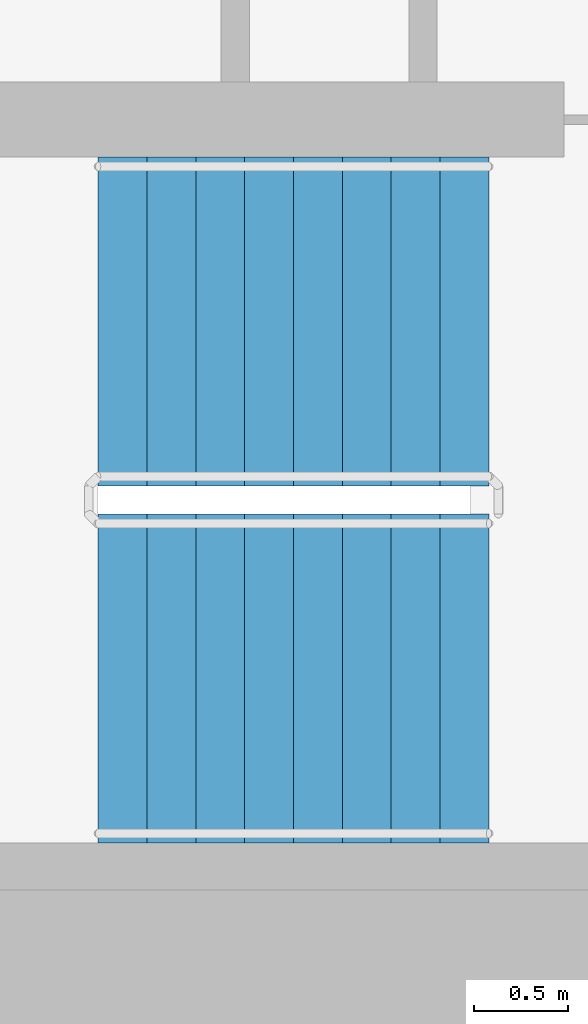
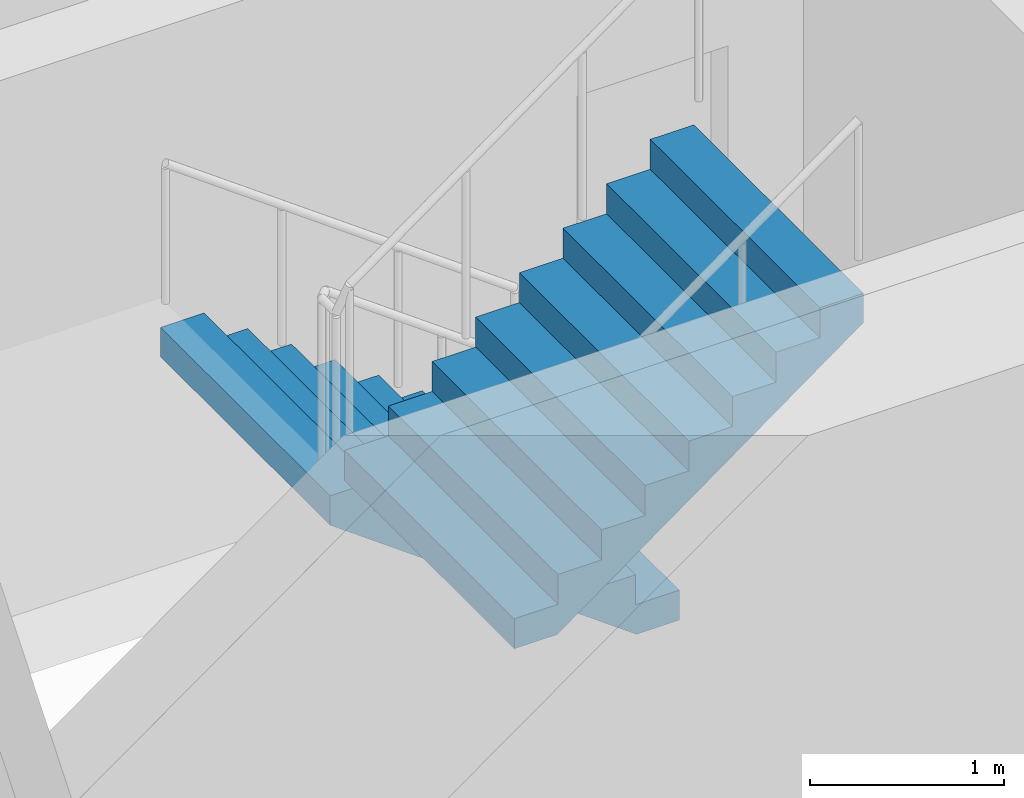
# One storey, part 16 of 22: 2 stair flights, 1 element without a shape of its own.
"""IFC4 building model written with IfcOpenShell, lengths in metres."""

import ifcopenshell
import ifcopenshell.guid

model = None  # the IFC model being written
_history = None  # IfcOwnerHistory: only IFC2X3 demands one
_inside = {}  # id of a spatial element -> (the spatial element, [elements in it])
_under = {}  # id of a project, library or spatial element -> (it, [spatial elements below it])
_declared = {}  # id of a project -> (the project, [libraries it declares])
_typed = {}  # id of a type object -> (the type object, [elements of that type])
_made_of = {}  # id of a material, layer set ... -> (it, [elements and type objects made of it])


def new_model(schema):
    """Start an empty IFC model of exactly this schema.

    Asked for "IFC4X3", IfcOpenShell would pick the latest addendum, in which some entities
    have other attributes; the version numbers below select the first issue.
    IFC2X3 requires an IfcOwnerHistory on every rooted entity: one is made here for all.
    """
    global model, _history
    if schema == "IFC4X3":
        model = ifcopenshell.file(schema_version=(4, 3, 0, 0))
    else:
        model = ifcopenshell.file(schema=schema)
    _inside.clear()
    _under.clear()
    _declared.clear()
    _typed.clear()
    _made_of.clear()
    _history = None
    if model.schema == "IFC2X3":
        org = make("IfcOrganization", Name="unknown")
        user = make(
            "IfcPersonAndOrganization",
            ThePerson=make("IfcPerson", FamilyName="unknown"),
            TheOrganization=org,
        )
        app = make(
            "IfcApplication",
            ApplicationDeveloper=org,
            Version="unknown",
            ApplicationFullName="unknown",
            ApplicationIdentifier="unknown",
        )
        _history = make(
            "IfcOwnerHistory",
            OwningUser=user,
            OwningApplication=app,
            ChangeAction="ADDED",
            CreationDate=0,
        )
    return model


def make(cls, **values):
    """One entity of the class cls with the attributes given. An attribute that is None is left unset."""
    return model.create_entity(
        cls, **{name: value for name, value in values.items() if value is not None}
    )


def rooted(cls, **values):
    """An entity with a GlobalId (a new one), such as an element, a storey or a relation."""
    return make(cls, GlobalId=ifcopenshell.guid.new(), OwnerHistory=_history, **values)


def si_unit(unit_type, name, prefix=None):
    """IfcSIUnit, for example si_unit("LENGTHUNIT", "METRE", prefix="MILLI")."""
    return make("IfcSIUnit", UnitType=unit_type, Prefix=prefix, Name=name)


def assignment(units):
    """IfcUnitAssignment: the units of a project."""
    return None if units is None else make("IfcUnitAssignment", Units=units)


def point(xyz):
    """IfcCartesianPoint."""
    return None if xyz is None else make("IfcCartesianPoint", Coordinates=xyz)


def direction(xyz):
    """IfcDirection."""
    return None if xyz is None else make("IfcDirection", DirectionRatios=xyz)


def frame(location, z_axis=None, x_axis=None):
    """IfcAxis2Placement3D, a coordinate frame: its origin and axes. An axis left out is left unset."""
    return make(
        "IfcAxis2Placement3D",
        Location=point(location),
        Axis=direction(z_axis),
        RefDirection=direction(x_axis),
    )


def origin():
    """The frame at (0, 0, 0) with its axes left unset."""
    return frame((0.0, 0.0, 0.0))


def place(relative_to, where):
    """IfcLocalPlacement: puts the frame where relative to a parent placement (None: the world)."""
    return make(
        "IfcLocalPlacement", PlacementRelTo=relative_to, RelativePlacement=where
    )


def context(
    kind, dimensions, precision=None, world=None, true_north=None, identifier=None
):
    """IfcGeometricRepresentationContext, for example the 3D "Model" context."""
    return make(
        "IfcGeometricRepresentationContext",
        ContextIdentifier=identifier,
        ContextType=kind,
        CoordinateSpaceDimension=dimensions,
        Precision=precision,
        WorldCoordinateSystem=world,
        TrueNorth=true_north,
    )


def subcontext(parent, identifier, kind, view, scale=None):
    """IfcGeometricRepresentationSubContext, for example "Body" below "Model"."""
    return make(
        "IfcGeometricRepresentationSubContext",
        ContextIdentifier=identifier,
        ContextType=kind,
        ParentContext=parent,
        TargetScale=scale,
        TargetView=view,
    )


def project(units=None, contexts=None):
    """IfcProject with its units and contexts."""
    return rooted(
        "IfcProject",
        Name="project",
        RepresentationContexts=contexts,
        UnitsInContext=assignment(units),
    )


def spatial(cls, under=None, at=None, **own):
    """A site, building, storey or space (cls), placed at a placement, below another one or the project."""
    s = rooted(cls, ObjectPlacement=at, **own)
    if under is not None:
        _under.setdefault(under.id(), (under, []))[1].append(s)
    return s


def faces_of(points, faces, orient=None, outer=None):
    """IfcFace entities. A face is a list of loops; a loop is a list of indices into points, from 0.

    orient and outer hold one flag for each loop. By default every Orientation is true, the
    first loop of a face is its IfcFaceOuterBound and the others are IfcFaceBound.
    """
    made = []
    for i, loops in enumerate(faces):
        bounds = []
        for j, loop in enumerate(loops):
            is_outer = j == 0 if outer is None else outer[i][j]
            bounds.append(
                make(
                    "IfcFaceOuterBound" if is_outer else "IfcFaceBound",
                    Bound=make("IfcPolyLoop", Polygon=[points[k] for k in loop]),
                    Orientation=True if orient is None else orient[i][j],
                )
            )
        made.append(make("IfcFace", Bounds=bounds))
    return made


def faceted_brep(points, faces, orient=None, outer=None, voids=None):
    """IfcFacetedBrep: a solid bounded by flat faces; with voids (closed shells), ...WithVoids."""
    shared = [point(p) for p in points]
    hull = make("IfcClosedShell", CfsFaces=faces_of(shared, faces, orient, outer))
    if voids is None:
        return make("IfcFacetedBrep", Outer=hull)
    return make(
        "IfcFacetedBrepWithVoids",
        Outer=hull,
        Voids=[
            make(cls, CfsFaces=faces_of(shared, fs, o, b)) for cls, fs, o, b in voids
        ],
    )


def shape(context_of_items, identifier, shape_type, items):
    """IfcShapeRepresentation: the items that make up one representation, for example the "Body"."""
    return make(
        "IfcShapeRepresentation",
        ContextOfItems=context_of_items,
        RepresentationIdentifier=identifier,
        RepresentationType=shape_type,
        Items=items,
    )


def material(Name=None, Category=None):
    """IfcMaterial."""
    return make("IfcMaterial", Name=Name, Category=Category)


def made_of(thing, what):
    """Note that an element or type object is made of a material, layer set ...; save() writes the relation."""
    if what is not None:
        _made_of.setdefault(what.id(), (what, []))[1].append(thing)
    return thing


def type_object(cls, material=None, **own):
    """A type object (cls), such as IfcWallType, which elements share."""
    return made_of(rooted(cls, **own), material)


def element(
    cls,
    number,
    at=None,
    inside=None,
    cuts=None,
    type_object=None,
    material=None,
    context=None,
    identifier="Body",
    shape_type=None,
    held_by="IfcProductDefinitionShape",
    body=None,
    shapes=None,
    **own,
):
    """One element of the class cls, such as IfcWall. Its Tag is "e" and its number.

    at: its placement. inside: the storey or other place that contains it. cuts: it is an
    opening in that element (IfcRelVoidsElement). A single representation is given by context,
    identifier, shape_type and body (its items); several are given by shapes. held_by: the class
    of the entity that holds the representations. save() writes the other relations.
    """
    e = rooted(cls, Tag="e%d" % number, ObjectPlacement=at, **own)
    if body is not None:
        shapes = [shape(context, identifier, shape_type, body)]
    if shapes is not None:
        e.Representation = make(held_by, Representations=shapes)
    if inside is not None:
        _inside.setdefault(inside.id(), (inside, []))[1].append(e)
    if cuts is not None:
        rooted(
            "IfcRelVoidsElement", RelatingBuildingElement=cuts, RelatedOpeningElement=e
        )
    if type_object is not None:
        _typed.setdefault(type_object.id(), (type_object, []))[1].append(e)
    return made_of(e, material)


def aggregate(whole, parts):
    """IfcRelAggregates: a whole, such as a stair, and the parts it consists of."""
    return rooted("IfcRelAggregates", RelatingObject=whole, RelatedObjects=parts)


def save(model, path):
    """Write the relations noted so far, then the file.

    IfcRelAggregates (storeys below a building ...), IfcRelContainedInSpatialStructure (elements
    in a storey), IfcRelDefinesByType, IfcRelAssociatesMaterial and IfcRelDeclares: one each for
    every whole, place, type object, material and project.
    """
    for whole, parts in _under.values():
        aggregate(whole, parts)
    for where, things in _inside.values():
        rooted(
            "IfcRelContainedInSpatialStructure",
            RelatedElements=things,
            RelatingStructure=where,
        )
    for kind, things in _typed.values():
        rooted("IfcRelDefinesByType", RelatedObjects=things, RelatingType=kind)
    for what, things in _made_of.values():
        rooted("IfcRelAssociatesMaterial", RelatedObjects=things, RelatingMaterial=what)
    for by, libraries in _declared.values():
        rooted("IfcRelDeclares", RelatingContext=by, RelatedDefinitions=libraries)
    model.write(path)


model = new_model("IFC4")

# Units and contexts
model_context = context("Model", 3, precision=1e-05, world=origin(), true_north=direction((0.0, 1.0)))
body_context = subcontext(model_context, "Body", "Model", "MODEL_VIEW")
ifc_project = project(units=[si_unit("LENGTHUNIT", "METRE"), si_unit("AREAUNIT", "SQUARE_METRE"), si_unit("VOLUMEUNIT", "CUBIC_METRE"), si_unit("PLANEANGLEUNIT", "RADIAN"), si_unit("MASSUNIT", "GRAM", prefix="KILO")], contexts=[model_context])

# Site, building, storey
site_placement = place(None, origin())
site = spatial("IfcSite", under=ifc_project, at=site_placement, CompositionType="ELEMENT")
building_placement = place(site_placement, origin())
building = spatial("IfcBuilding", under=site, at=building_placement, Name="Ipe Terrace Towers", CompositionType="ELEMENT")
storey_placement = place(building_placement, frame((0.0, 0.0, 76.60009765625)))
storey = spatial("IfcBuildingStorey", under=building, at=storey_placement, Name="L20", CompositionType="ELEMENT", Elevation=76.60009765625)

# Stair, stair flights
ifc_material_1 = material(Name="Concrete C30/37", Category="concrete")
stair_type = type_object("IfcStairType", Name="Protected exit stair", PredefinedType="HALF_TURN_STAIR", material=ifc_material_1)
stair_placement = place(storey_placement, origin())
stair = element("IfcStair", 1, at=stair_placement, inside=storey, type_object=stair_type, Name="L20 Exit stair T1-C2", PredefinedType="HALF_TURN_STAIR")
ifc_material_2 = material(Name="Concrete C30/37", Category="concrete")
stair_flight_type = type_object("IfcStairFlightType", Name="Exit stair flight 1750", PredefinedType="STRAIGHT", material=ifc_material_2)
stair_flight_1_placement = place(storey_placement, frame((-45.699951171875, -2.77490234375, 0.0), z_axis=(0.0, 0.0, 1.0), x_axis=(-1.0, 0.0, 0.0)))
stair_flight_1 = element("IfcStairFlight", 2, at=stair_flight_1_placement, type_object=stair_flight_type, Name="T1-ST2 flight 1", NumberOfRisers=9, NumberOfTreads=8, PredefinedType="STRAIGHT", RiserHeight=0.188888889, TreadLength=0.26, context=body_context, shape_type="Brep", body=[
    faceted_brep([(0.255126953125, -0.875, 0.0), (2.080078125, -0.875, 1.325927734375), (2.080078125, -0.875, 1.51123046875), (1.820068359375, -0.875, 1.51123046875), (1.820068359375, -0.875, 1.322265625), (1.56005859375, -0.875, 1.322265625), (1.56005859375, -0.875, 1.13330078125), (1.300048828125, -0.875, 1.13330078125), (1.300048828125, -0.875, 0.9443359375), (1.0400390625, -0.875, 0.9443359375), (1.0400390625, -0.875, 0.755615234375), (0.780029296875, -0.875, 0.755615234375), (0.780029296875, -0.875, 0.566650390625), (0.52001953125, -0.875, 0.566650390625), (0.52001953125, -0.875, 0.377685546875), (0.260009765625, -0.875, 0.377685546875), (0.260009765625, -0.875, 0.18896484375), (0.0, -0.875, 0.18896484375), (0.0, -0.875, 0.0), (0.0, 0.875, 0.0), (0.0, 0.875, 0.18896484375), (0.260009765625, 0.875, 0.18896484375), (0.260009765625, 0.875, 0.377685546875), (0.52001953125, 0.875, 0.377685546875), (0.52001953125, 0.875, 0.566650390625), (0.780029296875, 0.875, 0.566650390625), (0.780029296875, 0.875, 0.755615234375), (1.0400390625, 0.875, 0.755615234375), (1.0400390625, 0.875, 0.9443359375), (1.300048828125, 0.875, 0.9443359375), (1.300048828125, 0.875, 1.13330078125), (1.56005859375, 0.875, 1.13330078125), (1.56005859375, 0.875, 1.322265625), (1.820068359375, 0.875, 1.322265625), (1.820068359375, 0.875, 1.51123046875), (2.080078125, 0.875, 1.51123046875), (2.080078125, 0.875, 1.325927734375), (0.255126953125, 0.875, 0.0), (0.0, -0.300048828125, 0.18896484375), (0.0, -0.1201171875, 0.18896484375), (0.0, -0.06005859375, 0.18896484375), (0.0, -0.030029296875, 0.18896484375), (0.0, -0.010009765625, 0.18896484375), (0.0, 0.0, 0.18896484375), (0.0, 0.010009765625, 0.18896484375), (0.0, 0.030029296875, 0.18896484375), (0.0, 0.06005859375, 0.18896484375), (0.0, 0.1201171875, 0.18896484375), (0.0, 0.300048828125, 0.18896484375), (0.0, 0.300048828125, 0.0), (0.0, 0.1201171875, 0.0), (0.0, 0.06005859375, 0.0), (0.0, 0.030029296875, 0.0), (0.0, 0.010009765625, 0.0), (0.0, 0.0, 0.0), (0.0, -0.010009765625, 0.0), (0.0, -0.030029296875, 0.0), (0.0, -0.06005859375, 0.0), (0.0, -0.1201171875, 0.0), (0.0, -0.300048828125, 0.0), (0.260009765625, -0.300048828125, 0.18896484375), (0.260009765625, -0.1201171875, 0.18896484375), (0.260009765625, -0.06005859375, 0.18896484375), (0.260009765625, -0.030029296875, 0.18896484375), (0.260009765625, -0.010009765625, 0.18896484375), (0.260009765625, 0.0, 0.18896484375), (0.260009765625, 0.010009765625, 0.18896484375), (0.260009765625, 0.030029296875, 0.18896484375), (0.260009765625, 0.06005859375, 0.18896484375), (0.260009765625, 0.1201171875, 0.18896484375), (0.260009765625, 0.300048828125, 0.18896484375), (0.260009765625, -0.300048828125, 0.377685546875), (0.260009765625, -0.1201171875, 0.377685546875), (0.260009765625, -0.06005859375, 0.377685546875), (0.260009765625, -0.030029296875, 0.377685546875), (0.260009765625, -0.010009765625, 0.377685546875), (0.260009765625, 0.0, 0.377685546875), (0.260009765625, 0.010009765625, 0.377685546875), (0.260009765625, 0.030029296875, 0.377685546875), (0.260009765625, 0.06005859375, 0.377685546875), (0.260009765625, 0.1201171875, 0.377685546875), (0.260009765625, 0.300048828125, 0.377685546875), (0.52001953125, -0.300048828125, 0.377685546875), (0.52001953125, -0.1201171875, 0.377685546875), (0.52001953125, -0.06005859375, 0.377685546875), (0.52001953125, -0.030029296875, 0.377685546875), (0.52001953125, -0.010009765625, 0.377685546875), (0.52001953125, 0.0, 0.377685546875), (0.52001953125, 0.010009765625, 0.377685546875), (0.52001953125, 0.030029296875, 0.377685546875), (0.52001953125, 0.06005859375, 0.377685546875), (0.52001953125, 0.1201171875, 0.377685546875), (0.52001953125, 0.300048828125, 0.377685546875), (0.52001953125, -0.300048828125, 0.566650390625), (0.52001953125, -0.1201171875, 0.566650390625), (0.52001953125, -0.06005859375, 0.566650390625), (0.52001953125, -0.030029296875, 0.566650390625), (0.52001953125, -0.010009765625, 0.566650390625), (0.52001953125, 0.0, 0.566650390625), (0.52001953125, 0.010009765625, 0.566650390625), (0.52001953125, 0.030029296875, 0.566650390625), (0.52001953125, 0.06005859375, 0.566650390625), (0.52001953125, 0.1201171875, 0.566650390625), (0.52001953125, 0.300048828125, 0.566650390625), (0.780029296875, -0.300048828125, 0.566650390625), (0.780029296875, -0.1201171875, 0.566650390625), (0.780029296875, -0.06005859375, 0.566650390625), (0.780029296875, -0.030029296875, 0.566650390625), (0.780029296875, -0.010009765625, 0.566650390625), (0.780029296875, 0.0, 0.566650390625), (0.780029296875, 0.010009765625, 0.566650390625), (0.780029296875, 0.030029296875, 0.566650390625), (0.780029296875, 0.06005859375, 0.566650390625), (0.780029296875, 0.1201171875, 0.566650390625), (0.780029296875, 0.300048828125, 0.566650390625), (0.780029296875, -0.300048828125, 0.755615234375), (0.780029296875, -0.1201171875, 0.755615234375), (0.780029296875, -0.06005859375, 0.755615234375), (0.780029296875, -0.030029296875, 0.755615234375), (0.780029296875, -0.010009765625, 0.755615234375), (0.780029296875, 0.0, 0.755615234375), (0.780029296875, 0.010009765625, 0.755615234375), (0.780029296875, 0.030029296875, 0.755615234375), (0.780029296875, 0.06005859375, 0.755615234375), (0.780029296875, 0.1201171875, 0.755615234375), (0.780029296875, 0.300048828125, 0.755615234375), (1.0400390625, -0.300048828125, 0.755615234375), (1.0400390625, -0.1201171875, 0.755615234375), (1.0400390625, -0.06005859375, 0.755615234375), (1.0400390625, -0.030029296875, 0.755615234375), (1.0400390625, -0.010009765625, 0.755615234375), (1.0400390625, 0.0, 0.755615234375), (1.0400390625, 0.010009765625, 0.755615234375), (1.0400390625, 0.030029296875, 0.755615234375), (1.0400390625, 0.06005859375, 0.755615234375), (1.0400390625, 0.1201171875, 0.755615234375), (1.0400390625, 0.300048828125, 0.755615234375), (1.0400390625, -0.300048828125, 0.9443359375), (1.0400390625, -0.1201171875, 0.9443359375), (1.0400390625, -0.06005859375, 0.9443359375), (1.0400390625, -0.030029296875, 0.9443359375), (1.0400390625, -0.010009765625, 0.9443359375), (1.0400390625, 0.0, 0.9443359375), (1.0400390625, 0.010009765625, 0.9443359375), (1.0400390625, 0.030029296875, 0.9443359375), (1.0400390625, 0.06005859375, 0.9443359375), (1.0400390625, 0.1201171875, 0.9443359375), (1.0400390625, 0.300048828125, 0.9443359375), (1.300048828125, -0.300048828125, 0.9443359375), (1.300048828125, -0.1201171875, 0.9443359375), (1.300048828125, -0.06005859375, 0.9443359375), (1.300048828125, -0.030029296875, 0.9443359375), (1.300048828125, -0.010009765625, 0.9443359375), (1.300048828125, 0.0, 0.9443359375), (1.300048828125, 0.010009765625, 0.9443359375), (1.300048828125, 0.030029296875, 0.9443359375), (1.300048828125, 0.06005859375, 0.9443359375), (1.300048828125, 0.1201171875, 0.9443359375), (1.300048828125, 0.300048828125, 0.9443359375), (1.300048828125, -0.300048828125, 1.13330078125), (1.300048828125, -0.1201171875, 1.13330078125), (1.300048828125, -0.06005859375, 1.13330078125), (1.300048828125, -0.030029296875, 1.13330078125), (1.300048828125, -0.010009765625, 1.13330078125), (1.300048828125, 0.0, 1.13330078125), (1.300048828125, 0.010009765625, 1.13330078125), (1.300048828125, 0.030029296875, 1.13330078125), (1.300048828125, 0.06005859375, 1.13330078125), (1.300048828125, 0.1201171875, 1.13330078125), (1.300048828125, 0.300048828125, 1.13330078125), (1.56005859375, -0.300048828125, 1.13330078125), (1.56005859375, -0.1201171875, 1.13330078125), (1.56005859375, -0.06005859375, 1.13330078125), (1.56005859375, -0.030029296875, 1.13330078125), (1.56005859375, -0.010009765625, 1.13330078125), (1.56005859375, 0.0, 1.13330078125), (1.56005859375, 0.010009765625, 1.13330078125), (1.56005859375, 0.030029296875, 1.13330078125), (1.56005859375, 0.06005859375, 1.13330078125), (1.56005859375, 0.1201171875, 1.13330078125), (1.56005859375, 0.300048828125, 1.13330078125), (1.56005859375, -0.300048828125, 1.322265625), (1.56005859375, -0.1201171875, 1.322265625), (1.56005859375, -0.06005859375, 1.322265625), (1.56005859375, -0.030029296875, 1.322265625), (1.56005859375, -0.010009765625, 1.322265625), (1.56005859375, 0.0, 1.322265625), (1.56005859375, 0.010009765625, 1.322265625), (1.56005859375, 0.030029296875, 1.322265625), (1.56005859375, 0.06005859375, 1.322265625), (1.56005859375, 0.1201171875, 1.322265625), (1.56005859375, 0.300048828125, 1.322265625), (1.820068359375, -0.300048828125, 1.322265625), (1.820068359375, -0.1201171875, 1.322265625), (1.820068359375, -0.06005859375, 1.322265625), (1.820068359375, -0.030029296875, 1.322265625), (1.820068359375, -0.010009765625, 1.322265625), (1.820068359375, 0.0, 1.322265625), (1.820068359375, 0.010009765625, 1.322265625), (1.820068359375, 0.030029296875, 1.322265625), (1.820068359375, 0.06005859375, 1.322265625), (1.820068359375, 0.1201171875, 1.322265625), (1.820068359375, 0.300048828125, 1.322265625), (1.820068359375, -0.300048828125, 1.51123046875), (1.820068359375, -0.1201171875, 1.51123046875), (1.820068359375, -0.06005859375, 1.51123046875), (1.820068359375, -0.030029296875, 1.51123046875), (1.820068359375, -0.010009765625, 1.51123046875), (1.820068359375, 0.0, 1.51123046875), (1.820068359375, 0.010009765625, 1.51123046875), (1.820068359375, 0.030029296875, 1.51123046875), (1.820068359375, 0.06005859375, 1.51123046875), (1.820068359375, 0.1201171875, 1.51123046875), (1.820068359375, 0.300048828125, 1.51123046875), (2.080078125, -0.300048828125, 1.51123046875), (2.080078125, -0.1201171875, 1.51123046875), (2.080078125, -0.06005859375, 1.51123046875), (2.080078125, -0.030029296875, 1.51123046875), (2.080078125, -0.010009765625, 1.51123046875), (2.080078125, 0.0, 1.51123046875), (2.080078125, 0.010009765625, 1.51123046875), (2.080078125, 0.030029296875, 1.51123046875), (2.080078125, 0.06005859375, 1.51123046875), (2.080078125, 0.1201171875, 1.51123046875), (2.080078125, 0.300048828125, 1.51123046875), (2.080078125, -0.300048828125, 1.325927734375), (2.080078125, -0.1201171875, 1.325927734375), (2.080078125, -0.06005859375, 1.325927734375), (2.080078125, -0.030029296875, 1.325927734375), (2.080078125, -0.010009765625, 1.325927734375), (2.080078125, 0.0, 1.325927734375), (2.080078125, 0.010009765625, 1.325927734375), (2.080078125, 0.030029296875, 1.325927734375), (2.080078125, 0.06005859375, 1.325927734375), (2.080078125, 0.1201171875, 1.325927734375), (2.080078125, 0.300048828125, 1.325927734375), (0.255126953125, -0.300048828125, 0.0), (0.255126953125, -0.1201171875, 0.0), (0.255126953125, -0.06005859375, 0.0), (0.255126953125, -0.030029296875, 0.0), (0.255126953125, -0.010009765625, 0.0), (0.255126953125, 0.0, 0.0), (0.255126953125, 0.010009765625, 0.0), (0.255126953125, 0.030029296875, 0.0), (0.255126953125, 0.06005859375, 0.0), (0.255126953125, 0.1201171875, 0.0), (0.255126953125, 0.300048828125, 0.0)], [[[0, 1, 2, 3, 4, 5, 6, 7, 8, 9, 10, 11, 12, 13, 14, 15, 16, 17, 18]], [[19, 20, 21, 22, 23, 24, 25, 26, 27, 28, 29, 30, 31, 32, 33, 34, 35, 36, 37]], [[17, 38, 39, 40, 41, 42, 43, 44, 45, 46, 47, 48, 20, 19, 49, 50, 51, 52, 53, 54, 55, 56, 57, 58, 59, 18]], [[16, 60, 61, 62, 63, 64, 65, 66, 67, 68, 69, 70, 21, 20, 48, 47, 46, 45, 44, 43, 42, 41, 40, 39, 38, 17]], [[15, 71, 72, 73, 74, 75, 76, 77, 78, 79, 80, 81, 22, 21, 70, 69, 68, 67, 66, 65, 64, 63, 62, 61, 60, 16]], [[14, 82, 83, 84, 85, 86, 87, 88, 89, 90, 91, 92, 23, 22, 81, 80, 79, 78, 77, 76, 75, 74, 73, 72, 71, 15]], [[13, 93, 94, 95, 96, 97, 98, 99, 100, 101, 102, 103, 24, 23, 92, 91, 90, 89, 88, 87, 86, 85, 84, 83, 82, 14]], [[12, 104, 105, 106, 107, 108, 109, 110, 111, 112, 113, 114, 25, 24, 103, 102, 101, 100, 99, 98, 97, 96, 95, 94, 93, 13]], [[11, 115, 116, 117, 118, 119, 120, 121, 122, 123, 124, 125, 26, 25, 114, 113, 112, 111, 110, 109, 108, 107, 106, 105, 104, 12]], [[10, 126, 127, 128, 129, 130, 131, 132, 133, 134, 135, 136, 27, 26, 125, 124, 123, 122, 121, 120, 119, 118, 117, 116, 115, 11]], [[9, 137, 138, 139, 140, 141, 142, 143, 144, 145, 146, 147, 28, 27, 136, 135, 134, 133, 132, 131, 130, 129, 128, 127, 126, 10]], [[8, 148, 149, 150, 151, 152, 153, 154, 155, 156, 157, 158, 29, 28, 147, 146, 145, 144, 143, 142, 141, 140, 139, 138, 137, 9]], [[7, 159, 160, 161, 162, 163, 164, 165, 166, 167, 168, 169, 30, 29, 158, 157, 156, 155, 154, 153, 152, 151, 150, 149, 148, 8]], [[6, 170, 171, 172, 173, 174, 175, 176, 177, 178, 179, 180, 31, 30, 169, 168, 167, 166, 165, 164, 163, 162, 161, 160, 159, 7]], [[5, 181, 182, 183, 184, 185, 186, 187, 188, 189, 190, 191, 32, 31, 180, 179, 178, 177, 176, 175, 174, 173, 172, 171, 170, 6]], [[4, 192, 193, 194, 195, 196, 197, 198, 199, 200, 201, 202, 33, 32, 191, 190, 189, 188, 187, 186, 185, 184, 183, 182, 181, 5]], [[3, 203, 204, 205, 206, 207, 208, 209, 210, 211, 212, 213, 34, 33, 202, 201, 200, 199, 198, 197, 196, 195, 194, 193, 192, 4]], [[2, 214, 215, 216, 217, 218, 219, 220, 221, 222, 223, 224, 35, 34, 213, 212, 211, 210, 209, 208, 207, 206, 205, 204, 203, 3]], [[1, 225, 226, 227, 228, 229, 230, 231, 232, 233, 234, 235, 36, 35, 224, 223, 222, 221, 220, 219, 218, 217, 216, 215, 214, 2]], [[0, 236, 237, 238, 239, 240, 241, 242, 243, 244, 245, 246, 37, 36, 235, 234, 233, 232, 231, 230, 229, 228, 227, 226, 225, 1]], [[18, 59, 58, 57, 56, 55, 54, 53, 52, 51, 50, 49, 19, 37, 246, 245, 244, 243, 242, 241, 240, 239, 238, 237, 236, 0]]]),
])
stair_flight_2_placement = place(storey_placement, frame((-47.780029296875, -4.675048828125, 1.699951171875), z_axis=(0.0, 0.0, 1.0), x_axis=(1.0, 0.0, 0.0)))
stair_flight_2 = element("IfcStairFlight", 3, at=stair_flight_2_placement, type_object=stair_flight_type, Name="T1-ST2 flight 2", NumberOfRisers=9, NumberOfTreads=8, PredefinedType="STRAIGHT", RiserHeight=0.188888889, TreadLength=0.26, context=body_context, shape_type="Brep", body=[
    faceted_brep([(0.255126953125, -0.875, 0.0), (2.080078125, -0.875, 1.325927734375), (2.080078125, -0.875, 1.51123046875), (1.820068359375, -0.875, 1.51123046875), (1.820068359375, -0.875, 1.322265625), (1.56005859375, -0.875, 1.322265625), (1.56005859375, -0.875, 1.13330078125), (1.300048828125, -0.875, 1.13330078125), (1.300048828125, -0.875, 0.9443359375), (1.0400390625, -0.875, 0.9443359375), (1.0400390625, -0.875, 0.755615234375), (0.780029296875, -0.875, 0.755615234375), (0.780029296875, -0.875, 0.566650390625), (0.52001953125, -0.875, 0.566650390625), (0.52001953125, -0.875, 0.377685546875), (0.260009765625, -0.875, 0.377685546875), (0.260009765625, -0.875, 0.18896484375), (0.0, -0.875, 0.18896484375), (0.0, -0.875, 0.0), (0.0, 0.875, 0.0), (0.0, 0.875, 0.18896484375), (0.260009765625, 0.875, 0.18896484375), (0.260009765625, 0.875, 0.377685546875), (0.52001953125, 0.875, 0.377685546875), (0.52001953125, 0.875, 0.566650390625), (0.780029296875, 0.875, 0.566650390625), (0.780029296875, 0.875, 0.755615234375), (1.0400390625, 0.875, 0.755615234375), (1.0400390625, 0.875, 0.9443359375), (1.300048828125, 0.875, 0.9443359375), (1.300048828125, 0.875, 1.13330078125), (1.56005859375, 0.875, 1.13330078125), (1.56005859375, 0.875, 1.322265625), (1.820068359375, 0.875, 1.322265625), (1.820068359375, 0.875, 1.51123046875), (2.080078125, 0.875, 1.51123046875), (2.080078125, 0.875, 1.325927734375), (0.255126953125, 0.875, 0.0), (0.0, -0.300048828125, 0.18896484375), (0.0, -0.1201171875, 0.18896484375), (0.0, -0.06005859375, 0.18896484375), (0.0, -0.030029296875, 0.18896484375), (0.0, -0.010009765625, 0.18896484375), (0.0, 0.0, 0.18896484375), (0.0, 0.010009765625, 0.18896484375), (0.0, 0.030029296875, 0.18896484375), (0.0, 0.06005859375, 0.18896484375), (0.0, 0.1201171875, 0.18896484375), (0.0, 0.300048828125, 0.18896484375), (0.0, 0.300048828125, 0.0), (0.0, 0.1201171875, 0.0), (0.0, 0.06005859375, 0.0), (0.0, 0.030029296875, 0.0), (0.0, 0.010009765625, 0.0), (0.0, 0.0, 0.0), (0.0, -0.010009765625, 0.0), (0.0, -0.030029296875, 0.0), (0.0, -0.06005859375, 0.0), (0.0, -0.1201171875, 0.0), (0.0, -0.300048828125, 0.0), (0.260009765625, -0.300048828125, 0.18896484375), (0.260009765625, -0.1201171875, 0.18896484375), (0.260009765625, -0.06005859375, 0.18896484375), (0.260009765625, -0.030029296875, 0.18896484375), (0.260009765625, -0.010009765625, 0.18896484375), (0.260009765625, 0.0, 0.18896484375), (0.260009765625, 0.010009765625, 0.18896484375), (0.260009765625, 0.030029296875, 0.18896484375), (0.260009765625, 0.06005859375, 0.18896484375), (0.260009765625, 0.1201171875, 0.18896484375), (0.260009765625, 0.300048828125, 0.18896484375), (0.260009765625, -0.300048828125, 0.377685546875), (0.260009765625, -0.1201171875, 0.377685546875), (0.260009765625, -0.06005859375, 0.377685546875), (0.260009765625, -0.030029296875, 0.377685546875), (0.260009765625, -0.010009765625, 0.377685546875), (0.260009765625, 0.0, 0.377685546875), (0.260009765625, 0.010009765625, 0.377685546875), (0.260009765625, 0.030029296875, 0.377685546875), (0.260009765625, 0.06005859375, 0.377685546875), (0.260009765625, 0.1201171875, 0.377685546875), (0.260009765625, 0.300048828125, 0.377685546875), (0.52001953125, -0.300048828125, 0.377685546875), (0.52001953125, -0.1201171875, 0.377685546875), (0.52001953125, -0.06005859375, 0.377685546875), (0.52001953125, -0.030029296875, 0.377685546875), (0.52001953125, -0.010009765625, 0.377685546875), (0.52001953125, 0.0, 0.377685546875), (0.52001953125, 0.010009765625, 0.377685546875), (0.52001953125, 0.030029296875, 0.377685546875), (0.52001953125, 0.06005859375, 0.377685546875), (0.52001953125, 0.1201171875, 0.377685546875), (0.52001953125, 0.300048828125, 0.377685546875), (0.52001953125, -0.300048828125, 0.566650390625), (0.52001953125, -0.1201171875, 0.566650390625), (0.52001953125, -0.06005859375, 0.566650390625), (0.52001953125, -0.030029296875, 0.566650390625), (0.52001953125, -0.010009765625, 0.566650390625), (0.52001953125, 0.0, 0.566650390625), (0.52001953125, 0.010009765625, 0.566650390625), (0.52001953125, 0.030029296875, 0.566650390625), (0.52001953125, 0.06005859375, 0.566650390625), (0.52001953125, 0.1201171875, 0.566650390625), (0.52001953125, 0.300048828125, 0.566650390625), (0.780029296875, -0.300048828125, 0.566650390625), (0.780029296875, -0.1201171875, 0.566650390625), (0.780029296875, -0.06005859375, 0.566650390625), (0.780029296875, -0.030029296875, 0.566650390625), (0.780029296875, -0.010009765625, 0.566650390625), (0.780029296875, 0.0, 0.566650390625), (0.780029296875, 0.010009765625, 0.566650390625), (0.780029296875, 0.030029296875, 0.566650390625), (0.780029296875, 0.06005859375, 0.566650390625), (0.780029296875, 0.1201171875, 0.566650390625), (0.780029296875, 0.300048828125, 0.566650390625), (0.780029296875, -0.300048828125, 0.755615234375), (0.780029296875, -0.1201171875, 0.755615234375), (0.780029296875, -0.06005859375, 0.755615234375), (0.780029296875, -0.030029296875, 0.755615234375), (0.780029296875, -0.010009765625, 0.755615234375), (0.780029296875, 0.0, 0.755615234375), (0.780029296875, 0.010009765625, 0.755615234375), (0.780029296875, 0.030029296875, 0.755615234375), (0.780029296875, 0.06005859375, 0.755615234375), (0.780029296875, 0.1201171875, 0.755615234375), (0.780029296875, 0.300048828125, 0.755615234375), (1.0400390625, -0.300048828125, 0.755615234375), (1.0400390625, -0.1201171875, 0.755615234375), (1.0400390625, -0.06005859375, 0.755615234375), (1.0400390625, -0.030029296875, 0.755615234375), (1.0400390625, -0.010009765625, 0.755615234375), (1.0400390625, 0.0, 0.755615234375), (1.0400390625, 0.010009765625, 0.755615234375), (1.0400390625, 0.030029296875, 0.755615234375), (1.0400390625, 0.06005859375, 0.755615234375), (1.0400390625, 0.1201171875, 0.755615234375), (1.0400390625, 0.300048828125, 0.755615234375), (1.0400390625, -0.300048828125, 0.9443359375), (1.0400390625, -0.1201171875, 0.9443359375), (1.0400390625, -0.06005859375, 0.9443359375), (1.0400390625, -0.030029296875, 0.9443359375), (1.0400390625, -0.010009765625, 0.9443359375), (1.0400390625, 0.0, 0.9443359375), (1.0400390625, 0.010009765625, 0.9443359375), (1.0400390625, 0.030029296875, 0.9443359375), (1.0400390625, 0.06005859375, 0.9443359375), (1.0400390625, 0.1201171875, 0.9443359375), (1.0400390625, 0.300048828125, 0.9443359375), (1.300048828125, -0.300048828125, 0.9443359375), (1.300048828125, -0.1201171875, 0.9443359375), (1.300048828125, -0.06005859375, 0.9443359375), (1.300048828125, -0.030029296875, 0.9443359375), (1.300048828125, -0.010009765625, 0.9443359375), (1.300048828125, 0.0, 0.9443359375), (1.300048828125, 0.010009765625, 0.9443359375), (1.300048828125, 0.030029296875, 0.9443359375), (1.300048828125, 0.06005859375, 0.9443359375), (1.300048828125, 0.1201171875, 0.9443359375), (1.300048828125, 0.300048828125, 0.9443359375), (1.300048828125, -0.300048828125, 1.13330078125), (1.300048828125, -0.1201171875, 1.13330078125), (1.300048828125, -0.06005859375, 1.13330078125), (1.300048828125, -0.030029296875, 1.13330078125), (1.300048828125, -0.010009765625, 1.13330078125), (1.300048828125, 0.0, 1.13330078125), (1.300048828125, 0.010009765625, 1.13330078125), (1.300048828125, 0.030029296875, 1.13330078125), (1.300048828125, 0.06005859375, 1.13330078125), (1.300048828125, 0.1201171875, 1.13330078125), (1.300048828125, 0.300048828125, 1.13330078125), (1.56005859375, -0.300048828125, 1.13330078125), (1.56005859375, -0.1201171875, 1.13330078125), (1.56005859375, -0.06005859375, 1.13330078125), (1.56005859375, -0.030029296875, 1.13330078125), (1.56005859375, -0.010009765625, 1.13330078125), (1.56005859375, 0.0, 1.13330078125), (1.56005859375, 0.010009765625, 1.13330078125), (1.56005859375, 0.030029296875, 1.13330078125), (1.56005859375, 0.06005859375, 1.13330078125), (1.56005859375, 0.1201171875, 1.13330078125), (1.56005859375, 0.300048828125, 1.13330078125), (1.56005859375, -0.300048828125, 1.322265625), (1.56005859375, -0.1201171875, 1.322265625), (1.56005859375, -0.06005859375, 1.322265625), (1.56005859375, -0.030029296875, 1.322265625), (1.56005859375, -0.010009765625, 1.322265625), (1.56005859375, 0.0, 1.322265625), (1.56005859375, 0.010009765625, 1.322265625), (1.56005859375, 0.030029296875, 1.322265625), (1.56005859375, 0.06005859375, 1.322265625), (1.56005859375, 0.1201171875, 1.322265625), (1.56005859375, 0.300048828125, 1.322265625), (1.820068359375, -0.300048828125, 1.322265625), (1.820068359375, -0.1201171875, 1.322265625), (1.820068359375, -0.06005859375, 1.322265625), (1.820068359375, -0.030029296875, 1.322265625), (1.820068359375, -0.010009765625, 1.322265625), (1.820068359375, 0.0, 1.322265625), (1.820068359375, 0.010009765625, 1.322265625), (1.820068359375, 0.030029296875, 1.322265625), (1.820068359375, 0.06005859375, 1.322265625), (1.820068359375, 0.1201171875, 1.322265625), (1.820068359375, 0.300048828125, 1.322265625), (1.820068359375, -0.300048828125, 1.51123046875), (1.820068359375, -0.1201171875, 1.51123046875), (1.820068359375, -0.06005859375, 1.51123046875), (1.820068359375, -0.030029296875, 1.51123046875), (1.820068359375, -0.010009765625, 1.51123046875), (1.820068359375, 0.0, 1.51123046875), (1.820068359375, 0.010009765625, 1.51123046875), (1.820068359375, 0.030029296875, 1.51123046875), (1.820068359375, 0.06005859375, 1.51123046875), (1.820068359375, 0.1201171875, 1.51123046875), (1.820068359375, 0.300048828125, 1.51123046875), (2.080078125, -0.300048828125, 1.51123046875), (2.080078125, -0.1201171875, 1.51123046875), (2.080078125, -0.06005859375, 1.51123046875), (2.080078125, -0.030029296875, 1.51123046875), (2.080078125, -0.010009765625, 1.51123046875), (2.080078125, 0.0, 1.51123046875), (2.080078125, 0.010009765625, 1.51123046875), (2.080078125, 0.030029296875, 1.51123046875), (2.080078125, 0.06005859375, 1.51123046875), (2.080078125, 0.1201171875, 1.51123046875), (2.080078125, 0.300048828125, 1.51123046875), (2.080078125, -0.300048828125, 1.325927734375), (2.080078125, -0.1201171875, 1.325927734375), (2.080078125, -0.06005859375, 1.325927734375), (2.080078125, -0.030029296875, 1.325927734375), (2.080078125, -0.010009765625, 1.325927734375), (2.080078125, 0.0, 1.325927734375), (2.080078125, 0.010009765625, 1.325927734375), (2.080078125, 0.030029296875, 1.325927734375), (2.080078125, 0.06005859375, 1.325927734375), (2.080078125, 0.1201171875, 1.325927734375), (2.080078125, 0.300048828125, 1.325927734375), (0.255126953125, -0.300048828125, 0.0), (0.255126953125, -0.1201171875, 0.0), (0.255126953125, -0.06005859375, 0.0), (0.255126953125, -0.030029296875, 0.0), (0.255126953125, -0.010009765625, 0.0), (0.255126953125, 0.0, 0.0), (0.255126953125, 0.010009765625, 0.0), (0.255126953125, 0.030029296875, 0.0), (0.255126953125, 0.06005859375, 0.0), (0.255126953125, 0.1201171875, 0.0), (0.255126953125, 0.300048828125, 0.0)], [[[0, 1, 2, 3, 4, 5, 6, 7, 8, 9, 10, 11, 12, 13, 14, 15, 16, 17, 18]], [[19, 20, 21, 22, 23, 24, 25, 26, 27, 28, 29, 30, 31, 32, 33, 34, 35, 36, 37]], [[17, 38, 39, 40, 41, 42, 43, 44, 45, 46, 47, 48, 20, 19, 49, 50, 51, 52, 53, 54, 55, 56, 57, 58, 59, 18]], [[16, 60, 61, 62, 63, 64, 65, 66, 67, 68, 69, 70, 21, 20, 48, 47, 46, 45, 44, 43, 42, 41, 40, 39, 38, 17]], [[15, 71, 72, 73, 74, 75, 76, 77, 78, 79, 80, 81, 22, 21, 70, 69, 68, 67, 66, 65, 64, 63, 62, 61, 60, 16]], [[14, 82, 83, 84, 85, 86, 87, 88, 89, 90, 91, 92, 23, 22, 81, 80, 79, 78, 77, 76, 75, 74, 73, 72, 71, 15]], [[13, 93, 94, 95, 96, 97, 98, 99, 100, 101, 102, 103, 24, 23, 92, 91, 90, 89, 88, 87, 86, 85, 84, 83, 82, 14]], [[12, 104, 105, 106, 107, 108, 109, 110, 111, 112, 113, 114, 25, 24, 103, 102, 101, 100, 99, 98, 97, 96, 95, 94, 93, 13]], [[11, 115, 116, 117, 118, 119, 120, 121, 122, 123, 124, 125, 26, 25, 114, 113, 112, 111, 110, 109, 108, 107, 106, 105, 104, 12]], [[10, 126, 127, 128, 129, 130, 131, 132, 133, 134, 135, 136, 27, 26, 125, 124, 123, 122, 121, 120, 119, 118, 117, 116, 115, 11]], [[9, 137, 138, 139, 140, 141, 142, 143, 144, 145, 146, 147, 28, 27, 136, 135, 134, 133, 132, 131, 130, 129, 128, 127, 126, 10]], [[8, 148, 149, 150, 151, 152, 153, 154, 155, 156, 157, 158, 29, 28, 147, 146, 145, 144, 143, 142, 141, 140, 139, 138, 137, 9]], [[7, 159, 160, 161, 162, 163, 164, 165, 166, 167, 168, 169, 30, 29, 158, 157, 156, 155, 154, 153, 152, 151, 150, 149, 148, 8]], [[6, 170, 171, 172, 173, 174, 175, 176, 177, 178, 179, 180, 31, 30, 169, 168, 167, 166, 165, 164, 163, 162, 161, 160, 159, 7]], [[5, 181, 182, 183, 184, 185, 186, 187, 188, 189, 190, 191, 32, 31, 180, 179, 178, 177, 176, 175, 174, 173, 172, 171, 170, 6]], [[4, 192, 193, 194, 195, 196, 197, 198, 199, 200, 201, 202, 33, 32, 191, 190, 189, 188, 187, 186, 185, 184, 183, 182, 181, 5]], [[3, 203, 204, 205, 206, 207, 208, 209, 210, 211, 212, 213, 34, 33, 202, 201, 200, 199, 198, 197, 196, 195, 194, 193, 192, 4]], [[2, 214, 215, 216, 217, 218, 219, 220, 221, 222, 223, 224, 35, 34, 213, 212, 211, 210, 209, 208, 207, 206, 205, 204, 203, 3]], [[1, 225, 226, 227, 228, 229, 230, 231, 232, 233, 234, 235, 36, 35, 224, 223, 222, 221, 220, 219, 218, 217, 216, 215, 214, 2]], [[0, 236, 237, 238, 239, 240, 241, 242, 243, 244, 245, 246, 37, 36, 235, 234, 233, 232, 231, 230, 229, 228, 227, 226, 225, 1]], [[18, 59, 58, 57, 56, 55, 54, 53, 52, 51, 50, 49, 19, 37, 246, 245, 244, 243, 242, 241, 240, 239, 238, 237, 236, 0]]]),
])
aggregate(stair, [stair_flight_1, stair_flight_2])

save(model, "model.ifc")
